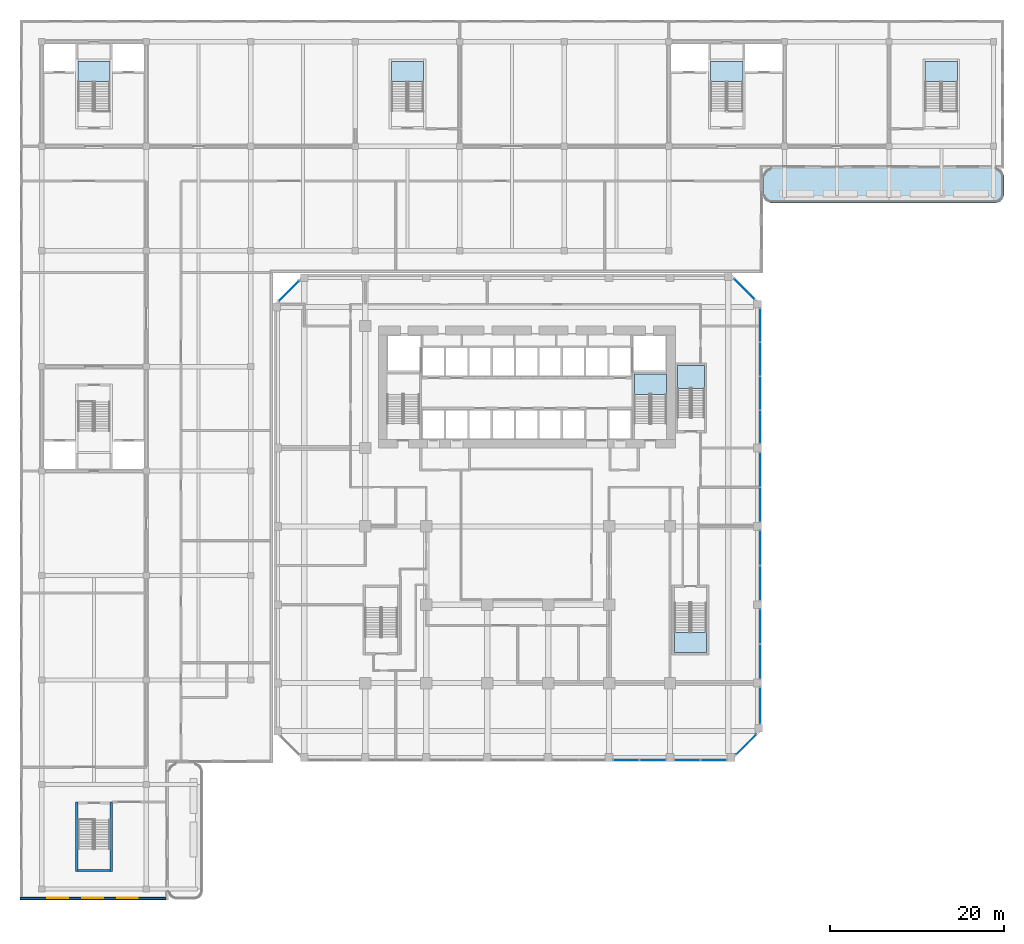
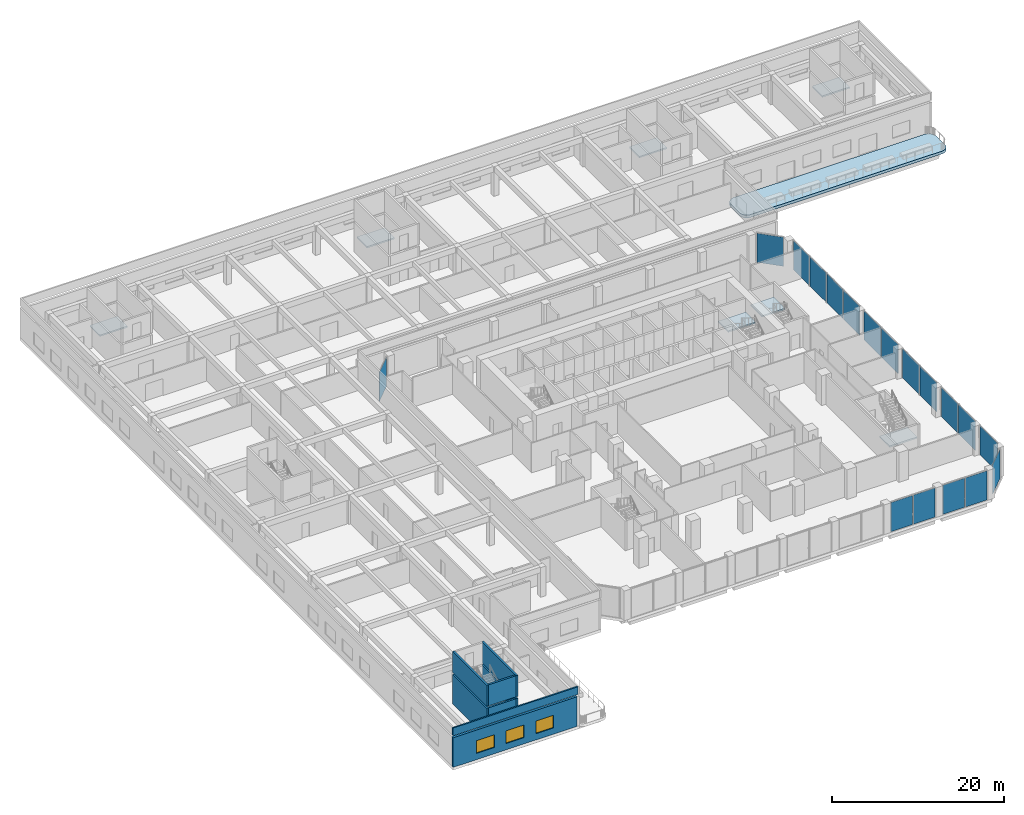
# One storey, part 12 of 35: 18 plates, 8 slabs, 8 walls, 3 windows, 3 openings, 25 elements without a shape of their own.
"""IFC4 building model written with IfcOpenShell, lengths in metres."""

from ifc_helpers import new_model, si_unit, direction, frame, frame_2d, origin, origin_2d, place, context, subcontext, project, spatial, polyline, rectangle, outline, extrude, source, transform, mapped, material, layer, layer_set, type_object, element, fill, aggregate, save


model = new_model("IFC4")

# Units and contexts
model_context = context("Model", 3, precision=1e-05, world=origin(), true_north=direction((0.0, 1.0)))
body_context = subcontext(model_context, "Body", "Model", "MODEL_VIEW")
ifc_project = project(units=[si_unit("LENGTHUNIT", "METRE"), si_unit("AREAUNIT", "SQUARE_METRE"), si_unit("VOLUMEUNIT", "CUBIC_METRE"), si_unit("PLANEANGLEUNIT", "RADIAN"), si_unit("MASSUNIT", "GRAM", prefix="KILO")], contexts=[model_context])

# Site, building, storey
site_placement = place(None, origin())
site = spatial("IfcSite", under=ifc_project, at=site_placement, CompositionType="ELEMENT")
building_placement = place(site_placement, origin())
building = spatial("IfcBuilding", under=site, at=building_placement, Name="Kilnfold Tower and Market Hall", CompositionType="ELEMENT")
storey_placement = place(building_placement, frame((0.0, 0.0, 22.5)))
storey = spatial("IfcBuildingStorey", under=building, at=storey_placement, Name="L04", CompositionType="ELEMENT", Elevation=22.5)

# Curtain wall, plate
ifc_material_1 = material(Name="Aluminium and double glazing", Category="aluminium")
curtain_wall_type = type_object("IfcCurtainWallType", Name="CW BASE PODIUM GLAZING", PredefinedType="NOTDEFINED", material=ifc_material_1)
curtain_wall_1_placement = place(storey_placement, origin())
curtain_wall_1 = element("IfcCurtainWall", 1, at=curtain_wall_1_placement, inside=storey, type_object=curtain_wall_type, Name="Curtain wall CW4 L04 S", PredefinedType="NOTDEFINED")
ifc_material_2 = material(Name="Double glazed unit")
ifc_layer_1 = layer(ifc_material_2, 0.035888671875)
ifc_layer_set_1 = layer_set([ifc_layer_1], Name="Double glazed unit")
plate_type = type_object("IfcPlateType", Name="GLAZING PANEL 36", PredefinedType="CURTAIN_PANEL", material=ifc_layer_set_1)
shared_shape_1 = source(origin(), body_context, "Body", "SweptSolid", [
    extrude(rectangle(XDim=2.909912109375, YDim=0.035888671875, at=origin_2d()), origin(), (0.0, 0.0, 1.0), 4.14990234375),
])
plate_1_placement = place(storey_placement, frame((12.47509765625, -27.85009765625, 0.0), z_axis=(0.0, 0.0, 1.0), x_axis=(1.0, 0.0, 0.0)))
plate_1 = element("IfcPlate", 2, at=plate_1_placement, type_object=plate_type, Name="CW4 panel 1.1", PredefinedType="CURTAIN_PANEL", context=body_context, shape_type="MappedRepresentation", body=[
    mapped(shared_shape_1, transform((0.0, 0.0, 0.0))),
])
aggregate(curtain_wall_1, [plate_1])

curtain_wall_2_placement = place(storey_placement, origin())
curtain_wall_2 = element("IfcCurtainWall", 3, at=curtain_wall_2_placement, inside=storey, type_object=curtain_wall_type, Name="Curtain wall CW4 L04 S", PredefinedType="NOTDEFINED")
plate_2_placement = place(storey_placement, frame((15.52490234375, -27.85009765625, 0.0), z_axis=(0.0, 0.0, 1.0), x_axis=(1.0, 0.0, 0.0)))
plate_2 = element("IfcPlate", 4, at=plate_2_placement, type_object=plate_type, Name="CW4 panel 1.1", PredefinedType="CURTAIN_PANEL", context=body_context, shape_type="MappedRepresentation", body=[
    mapped(shared_shape_1, transform((0.0, 0.0, 0.0))),
])
aggregate(curtain_wall_2, [plate_2])

curtain_wall_3_placement = place(storey_placement, origin())
curtain_wall_3 = element("IfcCurtainWall", 5, at=curtain_wall_3_placement, inside=storey, type_object=curtain_wall_type, Name="Curtain wall CW4 L04 S", PredefinedType="NOTDEFINED")
plate_3_placement = place(storey_placement, frame((19.47509765625, -27.85009765625, 0.0), z_axis=(0.0, 0.0, 1.0), x_axis=(1.0, 0.0, 0.0)))
plate_3 = element("IfcPlate", 6, at=plate_3_placement, type_object=plate_type, Name="CW4 panel 1.1", PredefinedType="CURTAIN_PANEL", context=body_context, shape_type="MappedRepresentation", body=[
    mapped(shared_shape_1, transform((0.0, 0.0, 0.0))),
])
aggregate(curtain_wall_3, [plate_3])

curtain_wall_4_placement = place(storey_placement, origin())
curtain_wall_4 = element("IfcCurtainWall", 7, at=curtain_wall_4_placement, inside=storey, type_object=curtain_wall_type, Name="Curtain wall CW4 L04 S", PredefinedType="NOTDEFINED")
plate_4_placement = place(storey_placement, frame((22.52490234375, -27.85009765625, 0.0), z_axis=(0.0, 0.0, 1.0), x_axis=(1.0, 0.0, 0.0)))
plate_4 = element("IfcPlate", 8, at=plate_4_placement, type_object=plate_type, Name="CW4 panel 1.1", PredefinedType="CURTAIN_PANEL", context=body_context, shape_type="MappedRepresentation", body=[
    mapped(shared_shape_1, transform((0.0, 0.0, 0.0))),
])
aggregate(curtain_wall_4, [plate_4])

curtain_wall_5_placement = place(storey_placement, origin())
curtain_wall_5 = element("IfcCurtainWall", 9, at=curtain_wall_5_placement, inside=storey, type_object=curtain_wall_type, Name="Curtain wall CW4 L04 SE", PredefinedType="NOTDEFINED")
shared_shape_2 = source(origin(), body_context, "Body", "SweptSolid", [
    extrude(rectangle(XDim=3.21875, YDim=0.035888671875, at=origin_2d()), origin(), (0.0, 0.0, 1.0), 4.14990234375),
])
plate_5_placement = place(storey_placement, frame((26.25634765625, -26.031494140625, 0.0), z_axis=(0.0, 0.0, 1.0), x_axis=(0.707121667181, 0.707091894879, 0.0)))
plate_5 = element("IfcPlate", 10, at=plate_5_placement, type_object=plate_type, Name="CW4 panel 1.1", PredefinedType="CURTAIN_PANEL", context=body_context, shape_type="MappedRepresentation", body=[
    mapped(shared_shape_2, transform((0.0, 0.0, 0.0))),
])
aggregate(curtain_wall_5, [plate_5])

curtain_wall_6_placement = place(storey_placement, origin())
curtain_wall_6 = element("IfcCurtainWall", 11, at=curtain_wall_6_placement, inside=storey, type_object=curtain_wall_type, Name="Curtain wall CW4 L04 NE", PredefinedType="NOTDEFINED")
plate_6_placement = place(storey_placement, frame((26.031494140625, 26.25634765625, 0.0), z_axis=(0.0, 0.0, 1.0), x_axis=(-0.707091894879, 0.707121667181, 0.0)))
plate_6 = element("IfcPlate", 12, at=plate_6_placement, type_object=plate_type, Name="CW4 panel 1.1", PredefinedType="CURTAIN_PANEL", context=body_context, shape_type="MappedRepresentation", body=[
    mapped(shared_shape_2, transform((0.0, 0.0, 0.0))),
])
aggregate(curtain_wall_6, [plate_6])

curtain_wall_7_placement = place(storey_placement, origin())
curtain_wall_7 = element("IfcCurtainWall", 13, at=curtain_wall_7_placement, inside=storey, type_object=curtain_wall_type, Name="Curtain wall CW4 L04 NW", PredefinedType="NOTDEFINED")
plate_7_placement = place(storey_placement, frame((-26.25634765625, 26.031494140625, 0.0), z_axis=(0.0, 0.0, 1.0), x_axis=(-0.707121667181, -0.707091894879, 0.0)))
plate_7 = element("IfcPlate", 14, at=plate_7_placement, type_object=plate_type, Name="CW4 panel 1.1", PredefinedType="CURTAIN_PANEL", context=body_context, shape_type="MappedRepresentation", body=[
    mapped(shared_shape_2, transform((0.0, 0.0, 0.0))),
])
aggregate(curtain_wall_7, [plate_7])

curtain_wall_8_placement = place(storey_placement, origin())
curtain_wall_8 = element("IfcCurtainWall", 15, at=curtain_wall_8_placement, inside=storey, type_object=curtain_wall_type, Name="Curtain wall CW4 L04 E", PredefinedType="NOTDEFINED")
shared_shape_3 = source(origin(), body_context, "Body", "SweptSolid", [
    extrude(rectangle(XDim=4.141845703125, YDim=0.035888671875, at=origin_2d()), origin(), (0.0, 0.0, 1.0), 4.14990234375),
])
plate_8_placement = place(storey_placement, frame((27.85009765625, -21.5908203125, 0.0), z_axis=(0.0, 0.0, 1.0), x_axis=(0.0, 1.0, 0.0)))
plate_8 = element("IfcPlate", 16, at=plate_8_placement, type_object=plate_type, Name="CW4 panel 1.1", PredefinedType="CURTAIN_PANEL", context=body_context, shape_type="MappedRepresentation", body=[
    mapped(shared_shape_3, transform((0.0, 0.0, 0.0))),
])
aggregate(curtain_wall_8, [plate_8])

curtain_wall_9_placement = place(storey_placement, origin())
curtain_wall_9 = element("IfcCurtainWall", 17, at=curtain_wall_9_placement, inside=storey, type_object=curtain_wall_type, Name="Curtain wall CW4 L04 E", PredefinedType="NOTDEFINED")
shared_shape_4 = source(origin(), body_context, "Body", "SweptSolid", [
    extrude(rectangle(XDim=3.909912109375, YDim=0.035888671875, at=origin_2d()), origin(), (0.0, 0.0, 1.0), 4.14990234375),
])
plate_9_placement = place(storey_placement, frame((27.85009765625, -16.52490234375, 0.0), z_axis=(0.0, 0.0, 1.0), x_axis=(0.0, 1.0, 0.0)))
plate_9 = element("IfcPlate", 18, at=plate_9_placement, type_object=plate_type, Name="CW4 panel 1.1", PredefinedType="CURTAIN_PANEL", context=body_context, shape_type="MappedRepresentation", body=[
    mapped(shared_shape_4, transform((0.0, 0.0, 0.0))),
])
aggregate(curtain_wall_9, [plate_9])

curtain_wall_10_placement = place(storey_placement, origin())
curtain_wall_10 = element("IfcCurtainWall", 19, at=curtain_wall_10_placement, inside=storey, type_object=curtain_wall_type, Name="Curtain wall CW4 L04 E", PredefinedType="NOTDEFINED")
plate_10_placement = place(storey_placement, frame((27.85009765625, -12.47509765625, 0.0), z_axis=(0.0, 0.0, 1.0), x_axis=(0.0, 1.0, 0.0)))
plate_10 = element("IfcPlate", 20, at=plate_10_placement, type_object=plate_type, Name="CW4 panel 1.1", PredefinedType="CURTAIN_PANEL", context=body_context, shape_type="MappedRepresentation", body=[
    mapped(shared_shape_4, transform((0.0, 0.0, 0.0))),
])
aggregate(curtain_wall_10, [plate_10])

curtain_wall_11_placement = place(storey_placement, origin())
curtain_wall_11 = element("IfcCurtainWall", 21, at=curtain_wall_11_placement, inside=storey, type_object=curtain_wall_type, Name="Curtain wall CW4 L04 E", PredefinedType="NOTDEFINED")
plate_11_placement = place(storey_placement, frame((27.85009765625, -7.52490234375, 0.0), z_axis=(0.0, 0.0, 1.0), x_axis=(0.0, 1.0, 0.0)))
plate_11 = element("IfcPlate", 22, at=plate_11_placement, type_object=plate_type, Name="CW4 panel 1.1", PredefinedType="CURTAIN_PANEL", context=body_context, shape_type="MappedRepresentation", body=[
    mapped(shared_shape_4, transform((0.0, 0.0, 0.0))),
])
aggregate(curtain_wall_11, [plate_11])

curtain_wall_12_placement = place(storey_placement, origin())
curtain_wall_12 = element("IfcCurtainWall", 23, at=curtain_wall_12_placement, inside=storey, type_object=curtain_wall_type, Name="Curtain wall CW4 L04 E", PredefinedType="NOTDEFINED")
plate_12_placement = place(storey_placement, frame((27.85009765625, -3.47509765625, 0.0), z_axis=(0.0, 0.0, 1.0), x_axis=(0.0, 1.0, 0.0)))
plate_12 = element("IfcPlate", 24, at=plate_12_placement, type_object=plate_type, Name="CW4 panel 1.1", PredefinedType="CURTAIN_PANEL", context=body_context, shape_type="MappedRepresentation", body=[
    mapped(shared_shape_4, transform((0.0, 0.0, 0.0))),
])
aggregate(curtain_wall_12, [plate_12])

curtain_wall_13_placement = place(storey_placement, origin())
curtain_wall_13 = element("IfcCurtainWall", 25, at=curtain_wall_13_placement, inside=storey, type_object=curtain_wall_type, Name="Curtain wall CW4 L04 E", PredefinedType="NOTDEFINED")
plate_13_placement = place(storey_placement, frame((27.85009765625, 1.47509765625, 0.0), z_axis=(0.0, 0.0, 1.0), x_axis=(0.0, 1.0, 0.0)))
plate_13 = element("IfcPlate", 26, at=plate_13_placement, type_object=plate_type, Name="CW4 panel 1.1", PredefinedType="CURTAIN_PANEL", context=body_context, shape_type="MappedRepresentation", body=[
    mapped(shared_shape_4, transform((0.0, 0.0, 0.0))),
])
aggregate(curtain_wall_13, [plate_13])

curtain_wall_14_placement = place(storey_placement, origin())
curtain_wall_14 = element("IfcCurtainWall", 27, at=curtain_wall_14_placement, inside=storey, type_object=curtain_wall_type, Name="Curtain wall CW4 L04 E", PredefinedType="NOTDEFINED")
plate_14_placement = place(storey_placement, frame((27.85009765625, 5.52490234375, 0.0), z_axis=(0.0, 0.0, 1.0), x_axis=(0.0, 1.0, 0.0)))
plate_14 = element("IfcPlate", 28, at=plate_14_placement, type_object=plate_type, Name="CW4 panel 1.1", PredefinedType="CURTAIN_PANEL", context=body_context, shape_type="MappedRepresentation", body=[
    mapped(shared_shape_4, transform((0.0, 0.0, 0.0))),
])
aggregate(curtain_wall_14, [plate_14])

curtain_wall_15_placement = place(storey_placement, origin())
curtain_wall_15 = element("IfcCurtainWall", 29, at=curtain_wall_15_placement, inside=storey, type_object=curtain_wall_type, Name="Curtain wall CW4 L04 E", PredefinedType="NOTDEFINED")
shared_shape_5 = source(origin(), body_context, "Body", "SweptSolid", [
    extrude(rectangle(XDim=3.760009765625, YDim=0.035888671875, at=origin_2d()), origin(), (0.0, 0.0, 1.0), 4.14990234375),
])
plate_15_placement = place(storey_placement, frame((27.85009765625, 10.39990234375, 0.0), z_axis=(0.0, 0.0, 1.0), x_axis=(0.0, 1.0, 0.0)))
plate_15 = element("IfcPlate", 30, at=plate_15_placement, type_object=plate_type, Name="CW4 panel 1.1", PredefinedType="CURTAIN_PANEL", context=body_context, shape_type="MappedRepresentation", body=[
    mapped(shared_shape_5, transform((0.0, 0.0, 0.0))),
])
aggregate(curtain_wall_15, [plate_15])

curtain_wall_16_placement = place(storey_placement, origin())
curtain_wall_16 = element("IfcCurtainWall", 31, at=curtain_wall_16_placement, inside=storey, type_object=curtain_wall_type, Name="Curtain wall CW4 L04 E", PredefinedType="NOTDEFINED")
plate_16_placement = place(storey_placement, frame((27.85009765625, 14.300048828125, 0.0), z_axis=(0.0, 0.0, 1.0), x_axis=(0.0, 1.0, 0.0)))
plate_16 = element("IfcPlate", 32, at=plate_16_placement, type_object=plate_type, Name="CW4 panel 1.1", PredefinedType="CURTAIN_PANEL", context=body_context, shape_type="MappedRepresentation", body=[
    mapped(shared_shape_5, transform((0.0, 0.0, 0.0))),
])
aggregate(curtain_wall_16, [plate_16])

curtain_wall_17_placement = place(storey_placement, origin())
curtain_wall_17 = element("IfcCurtainWall", 33, at=curtain_wall_17_placement, inside=storey, type_object=curtain_wall_type, Name="Curtain wall CW4 L04 E", PredefinedType="NOTDEFINED")
plate_17_placement = place(storey_placement, frame((27.85009765625, 18.199951171875, 0.0), z_axis=(0.0, 0.0, 1.0), x_axis=(0.0, 1.0, 0.0)))
plate_17 = element("IfcPlate", 34, at=plate_17_placement, type_object=plate_type, Name="CW4 panel 1.1", PredefinedType="CURTAIN_PANEL", context=body_context, shape_type="MappedRepresentation", body=[
    mapped(shared_shape_5, transform((0.0, 0.0, 0.0))),
])
aggregate(curtain_wall_17, [plate_17])

curtain_wall_18_placement = place(storey_placement, origin())
curtain_wall_18 = element("IfcCurtainWall", 35, at=curtain_wall_18_placement, inside=storey, type_object=curtain_wall_type, Name="Curtain wall CW4 L04 E", PredefinedType="NOTDEFINED")
plate_18_placement = place(storey_placement, frame((27.85009765625, 22.10009765625, 0.0), z_axis=(0.0, 0.0, 1.0), x_axis=(0.0, 1.0, 0.0)))
plate_18 = element("IfcPlate", 36, at=plate_18_placement, type_object=plate_type, Name="CW4 panel 1.1", PredefinedType="CURTAIN_PANEL", context=body_context, shape_type="MappedRepresentation", body=[
    mapped(shared_shape_5, transform((0.0, 0.0, 0.0))),
])
aggregate(curtain_wall_18, [plate_18])

# Slab
ifc_material_3 = material(Name="Concrete C40/50", Category="concrete")
ifc_layer_2 = layer(ifc_material_3, 0.39990234375)
ifc_layer_set_2 = layer_set([ifc_layer_2], Name="Concrete C40/50")
slab_type_1 = type_object("IfcSlabType", Name="TERRACE SLAB 400", PredefinedType="ROOF", material=ifc_layer_set_2)
shared_shape_6 = source(origin(), body_context, "Body", "SweptSolid", [
    extrude(outline(polyline([(55.85009765625, 37.14990234375), (55.84521484375, 37.052001953125), (55.830810546875, 36.954833984375), (55.806884765625, 36.859619140625), (55.77392578125, 36.767333984375), (55.73193359375, 36.6787109375), (55.681396484375, 36.594482421875), (55.623046875, 36.515625), (55.55712890625, 36.44287109375), (55.484375, 36.376953125), (55.405517578125, 36.318603515625), (55.3212890625, 36.26806640625), (55.232666015625, 36.22607421875), (55.140380859375, 36.193115234375), (55.045166015625, 36.169189453125), (54.947998046875, 36.15478515625), (54.85009765625, 36.14990234375), (29.159912109375, 36.14990234375), (29.06201171875, 36.15478515625), (28.96484375, 36.169189453125), (28.86962890625, 36.193115234375), (28.77734375, 36.22607421875), (28.688720703125, 36.26806640625), (28.6044921875, 36.318603515625), (28.525634765625, 36.376953125), (28.452880859375, 36.44287109375), (28.386962890625, 36.515625), (28.32861328125, 36.594482421875), (28.278076171875, 36.6787109375), (28.236083984375, 36.767333984375), (28.203125, 36.859619140625), (28.17919921875, 36.954833984375), (28.164794921875, 37.052001953125), (28.159912109375, 37.14990234375), (28.159912109375, 39.139892578125), (28.164794921875, 39.238037109375), (28.17919921875, 39.335205078125), (28.203125, 39.430419921875), (28.236083984375, 39.522705078125), (28.278076171875, 39.611328125), (28.32861328125, 39.695556640625), (28.386962890625, 39.7744140625), (28.452880859375, 39.84716796875), (28.525634765625, 39.9130859375), (28.6044921875, 39.971435546875), (28.688720703125, 40.02197265625), (28.77734375, 40.06396484375), (28.86962890625, 40.096923828125), (28.96484375, 40.120849609375), (29.06201171875, 40.13525390625), (29.159912109375, 40.139892578125), (54.85009765625, 40.139892578125), (54.947998046875, 40.13525390625), (55.045166015625, 40.120849609375), (55.140380859375, 40.096923828125), (55.232666015625, 40.06396484375), (55.3212890625, 40.02197265625), (55.405517578125, 39.971435546875), (55.484375, 39.9130859375), (55.55712890625, 39.84716796875), (55.623046875, 39.7744140625), (55.681396484375, 39.695556640625), (55.73193359375, 39.611328125), (55.77392578125, 39.522705078125), (55.806884765625, 39.430419921875), (55.830810546875, 39.335205078125), (55.84521484375, 39.238037109375), (55.85009765625, 39.139892578125), (55.85009765625, 37.14990234375)])), origin(), (0.0, 0.0, 1.0), 0.39990234375),
])
slab_1_placement = place(storey_placement, frame((0.0, 0.0, -0.39990234375)))
element("IfcSlab", 37, at=slab_1_placement, inside=storey, type_object=slab_type_1, Name="Terrace slab L04 part 2", PredefinedType="ROOF", context=body_context, shape_type="MappedRepresentation", body=[
    mapped(shared_shape_6, transform((0.0, 0.0, 0.0))),
])

# Stair, slab
ifc_material_4 = material(Name="Concrete C40/50", Category="concrete")
stair_type_1 = type_object("IfcStairType", Name="CORE STAIR 1800", PredefinedType="HALF_TURN_STAIR", material=ifc_material_4)
stair_1_placement = place(storey_placement, origin())
stair_1 = element("IfcStair", 38, at=stair_1_placement, inside=storey, type_object=stair_type_1, Name="L04 ST2", PredefinedType="HALF_TURN_STAIR")
ifc_material_5 = material(Name="Concrete C40/50", Category="concrete")
ifc_layer_3 = layer(ifc_material_5, 0.199951171875)
ifc_layer_set_3 = layer_set([ifc_layer_3], Name="Concrete C40/50")
slab_type_2 = type_object("IfcSlabType", Name="CORE STAIR LANDING 200", PredefinedType="LANDING", material=ifc_layer_set_3)
shared_shape_7 = source(origin(), body_context, "Body", "SweptSolid", [
    extrude(outline(polyline([(17.10009765625, 14.159912109375), (17.10009765625, 16.5), (13.39990234375, 16.5), (13.39990234375, 14.159912109375), (17.10009765625, 14.159912109375)])), origin(), (0.0, 0.0, 1.0), 0.199951171875),
])
slab_2_placement = place(storey_placement, frame((0.0, 0.0, 2.050048828125)))
slab_2 = element("IfcSlab", 39, at=slab_2_placement, type_object=slab_type_2, Name="ST2 landing 1", PredefinedType="LANDING", context=body_context, shape_type="MappedRepresentation", body=[
    mapped(shared_shape_7, transform((0.0, 0.0, 0.0))),
])
aggregate(stair_1, [slab_2])

stair_2_placement = place(storey_placement, origin())
stair_2 = element("IfcStair", 40, at=stair_2_placement, inside=storey, type_object=stair_type_1, Name="L04 ST4", PredefinedType="HALF_TURN_STAIR")
shared_shape_8 = source(origin(), body_context, "Body", "SweptSolid", [
    extrude(outline(polyline([(18.0, -13.159912109375), (18.0, -15.5), (21.699951171875, -15.5), (21.699951171875, -13.159912109375), (18.0, -13.159912109375)])), origin(), (0.0, 0.0, 1.0), 0.199951171875),
])
slab_3_placement = place(storey_placement, frame((0.0, 0.0, 2.050048828125)))
slab_3 = element("IfcSlab", 41, at=slab_3_placement, type_object=slab_type_2, Name="ST4 landing 1", PredefinedType="LANDING", context=body_context, shape_type="MappedRepresentation", body=[
    mapped(shared_shape_8, transform((0.0, 0.0, 0.0))),
])
aggregate(stair_2, [slab_3])

ifc_material_6 = material(Name="Concrete C40/50", Category="concrete")
stair_type_2 = type_object("IfcStairType", Name="CORE STAIR 1500", PredefinedType="HALF_TURN_STAIR", material=ifc_material_6)
stair_3_placement = place(storey_placement, origin())
stair_3 = element("IfcStair", 42, at=stair_3_placement, inside=storey, type_object=stair_type_2, Name="L04 ST5", PredefinedType="HALF_TURN_STAIR")
shared_shape_9 = source(origin(), body_context, "Body", "SweptSolid", [
    extrude(outline(polyline([(21.449951171875, 14.860107421875), (21.449951171875, 17.5), (18.35009765625, 17.5), (18.35009765625, 14.860107421875), (21.449951171875, 14.860107421875)])), origin(), (0.0, 0.0, 1.0), 0.199951171875),
])
slab_4_placement = place(storey_placement, frame((0.0, 0.0, 2.050048828125)))
slab_4 = element("IfcSlab", 43, at=slab_4_placement, type_object=slab_type_2, Name="ST5 landing 1", PredefinedType="LANDING", context=body_context, shape_type="MappedRepresentation", body=[
    mapped(shared_shape_9, transform((0.0, 0.0, 0.0))),
])
aggregate(stair_3, [slab_4])

ifc_material_7 = material(Name="Concrete C40/50", Category="concrete")
stair_type_3 = type_object("IfcStairType", Name="HALL STAIR", PredefinedType="HALF_TURN_STAIR", material=ifc_material_7)
stair_4_placement = place(storey_placement, origin())
stair_4 = element("IfcStair", 44, at=stair_4_placement, inside=storey, type_object=stair_type_3, Name="L04 MS3", PredefinedType="HALF_TURN_STAIR")
ifc_material_8 = material(Name="Concrete C40/50", Category="concrete")
ifc_layer_4 = layer(ifc_material_8, 0.199951171875)
ifc_layer_set_4 = layer_set([ifc_layer_4], Name="Concrete C40/50")
slab_type_3 = type_object("IfcSlabType", Name="HALL STAIR LANDING", PredefinedType="LANDING", material=ifc_layer_set_4)
shared_shape_10 = source(origin(), body_context, "Body", "SweptSolid", [
    extrude(outline(polyline([(-46.800048828125, 50.06005859375), (-46.800048828125, 52.39990234375), (-50.5, 52.39990234375), (-50.5, 50.06005859375), (-46.800048828125, 50.06005859375)])), origin(), (0.0, 0.0, 1.0), 0.199951171875),
])
slab_5_placement = place(storey_placement, frame((0.0, 0.0, 2.050048828125)))
slab_5 = element("IfcSlab", 45, at=slab_5_placement, type_object=slab_type_3, Name="MS3 landing 1", PredefinedType="LANDING", context=body_context, shape_type="MappedRepresentation", body=[
    mapped(shared_shape_10, transform((0.0, 0.0, 0.0))),
])
aggregate(stair_4, [slab_5])

stair_5_placement = place(storey_placement, origin())
stair_5 = element("IfcStair", 46, at=stair_5_placement, inside=storey, type_object=stair_type_3, Name="L04 MS4", PredefinedType="HALF_TURN_STAIR")
shared_shape_11 = source(origin(), body_context, "Body", "SweptSolid", [
    extrude(outline(polyline([(-10.800048828125, 50.06005859375), (-10.800048828125, 52.39990234375), (-14.5, 52.39990234375), (-14.5, 50.06005859375), (-10.800048828125, 50.06005859375)])), origin(), (0.0, 0.0, 1.0), 0.199951171875),
])
slab_6_placement = place(storey_placement, frame((0.0, 0.0, 2.050048828125)))
slab_6 = element("IfcSlab", 47, at=slab_6_placement, type_object=slab_type_3, Name="MS4 landing 1", PredefinedType="LANDING", context=body_context, shape_type="MappedRepresentation", body=[
    mapped(shared_shape_11, transform((0.0, 0.0, 0.0))),
])
aggregate(stair_5, [slab_6])

stair_6_placement = place(storey_placement, origin())
stair_6 = element("IfcStair", 48, at=stair_6_placement, inside=storey, type_object=stair_type_3, Name="L04 MS5", PredefinedType="HALF_TURN_STAIR")
shared_shape_12 = source(origin(), body_context, "Body", "SweptSolid", [
    extrude(outline(polyline([(25.85009765625, 50.06005859375), (25.85009765625, 52.39990234375), (22.14990234375, 52.39990234375), (22.14990234375, 50.06005859375), (25.85009765625, 50.06005859375)])), origin(), (0.0, 0.0, 1.0), 0.199951171875),
])
slab_7_placement = place(storey_placement, frame((0.0, 0.0, 2.050048828125)))
slab_7 = element("IfcSlab", 49, at=slab_7_placement, type_object=slab_type_3, Name="MS5 landing 1", PredefinedType="LANDING", context=body_context, shape_type="MappedRepresentation", body=[
    mapped(shared_shape_12, transform((0.0, 0.0, 0.0))),
])
aggregate(stair_6, [slab_7])

stair_7_placement = place(storey_placement, origin())
stair_7 = element("IfcStair", 50, at=stair_7_placement, inside=storey, type_object=stair_type_3, Name="L04 MS6", PredefinedType="HALF_TURN_STAIR")
shared_shape_13 = source(origin(), body_context, "Body", "SweptSolid", [
    extrude(outline(polyline([(50.5, 50.06005859375), (50.5, 52.39990234375), (46.800048828125, 52.39990234375), (46.800048828125, 50.06005859375), (50.5, 50.06005859375)])), origin(), (0.0, 0.0, 1.0), 0.199951171875),
])
slab_8_placement = place(storey_placement, frame((0.0, 0.0, 2.050048828125)))
slab_8 = element("IfcSlab", 51, at=slab_8_placement, type_object=slab_type_3, Name="MS6 landing 1", PredefinedType="LANDING", context=body_context, shape_type="MappedRepresentation", body=[
    mapped(shared_shape_13, transform((0.0, 0.0, 0.0))),
])
aggregate(stair_7, [slab_8])

# Walls
ifc_material_9 = material(Name="Concrete C50/60", Category="concrete")
ifc_layer_5 = layer(ifc_material_9, 0.25)
ifc_layer_set_5 = layer_set([ifc_layer_5], Name="Concrete C50/60")
wall_type_1 = type_object("IfcWallType", Name="HALL CORE WALL 250", PredefinedType="SHEAR", material=ifc_layer_set_5)
shared_shape_14 = source(origin(), body_context, "Body", "SweptSolid", [
    extrude(rectangle(XDim=3.699951171875, YDim=0.25, at=frame_2d((1.85009765625, 0.0))), origin(), (0.0, 0.0, 1.0), 4.219970703125),
])
wall_1_placement = place(storey_placement, frame((-50.5, -40.52490234375, 0.0), z_axis=(0.0, 0.0, 1.0), x_axis=(1.0, 0.0, 0.0)))
element("IfcWall", 52, at=wall_1_placement, inside=storey, type_object=wall_type_1, Name="Core wall MS1", PredefinedType="SHEAR", context=body_context, shape_type="MappedRepresentation", body=[
    mapped(shared_shape_14, transform((0.0, 0.0, 0.0))),
])
shared_shape_15 = source(origin(), body_context, "Body", "SweptSolid", [
    extrude(rectangle(XDim=8.0, YDim=0.25, at=frame_2d((4.0, 0.0))), origin(), (0.0, 0.0, 1.0), 4.219970703125),
])
for number, where, z_axis, x_axis, name in (
    (53, (-50.625, -40.64990234375, 0.0), (0.0, 0.0, 1.0), (0.0, 1.0, 0.0), "Core wall MS1"),
    (54, (-46.675048828125, -40.64990234375, 0.0), (0.0, 0.0, 1.0), (0.0, 1.0, 0.0), "Core wall MS1"),
):
    element("IfcWall", number, at=place(storey_placement, frame(where, z_axis=z_axis, x_axis=x_axis)), inside=storey, type_object=wall_type_1, Name=name, PredefinedType="SHEAR", context=body_context, shape_type="MappedRepresentation", body=[
        mapped(shared_shape_15, transform((0.0, 0.0, 0.0))),
    ])

# Wall, openings, windows
ifc_material_10 = material(Name="Concrete blockwork", Category="masonry")
ifc_layer_6 = layer(ifc_material_10, 0.300048828125)
ifc_layer_set_6 = layer_set([ifc_layer_6], Name="Concrete blockwork")
wall_type_2 = type_object("IfcWallType", Name="HALL EXTERNAL WALL 300 EI 60", PredefinedType="SOLIDWALL", material=ifc_layer_set_6)
shared_shape_16 = source(origin(), body_context, "Body", "SweptSolid", [
    extrude(rectangle(XDim=16.699951171875, YDim=0.300048828125, at=frame_2d((8.35009765625, 0.0))), origin(), (0.0, 0.0, 1.0), 4.219970703125),
])
wall_2_placement = place(storey_placement, frame((-40.449951171875, -43.699951171875, 0.0), z_axis=(0.0, 0.0, 1.0), x_axis=(-1.0, 0.0, 0.0)))
wall_2 = element("IfcWall", 55, at=wall_2_placement, inside=storey, type_object=wall_type_2, Name="External wall MEW-L04.10", PredefinedType="SOLIDWALL", context=body_context, shape_type="MappedRepresentation", body=[
    mapped(shared_shape_16, transform((0.0, 0.0, 0.0))),
])
opening_1_placement = place(wall_2_placement, frame((3.14990234375, 0.0, 0.89990234375)))
opening_1 = element("IfcOpeningElement", 56, at=opening_1_placement, cuts=wall_2, Name="Opening MEN3", PredefinedType="OPENING", context=body_context, shape_type="SweptSolid", body=[
    extrude(rectangle(XDim=2.39990234375, YDim=1.800048828125, at=frame_2d((1.199951171875, 0.89990234375))), frame((0.0, 0.16015625, 0.0), z_axis=(0.0, -1.0, 0.0), x_axis=(1.0, 0.0, 0.0)), (0.0, 0.0, 1.0), 0.320068359375),
])
opening_2_placement = place(wall_2_placement, frame((7.14990234375, 0.0, 0.89990234375)))
opening_2 = element("IfcOpeningElement", 57, at=opening_2_placement, cuts=wall_2, Name="Opening MEN3", PredefinedType="OPENING", context=body_context, shape_type="SweptSolid", body=[
    extrude(rectangle(XDim=2.39990234375, YDim=1.800048828125, at=frame_2d((1.199951171875, 0.89990234375))), frame((0.0, 0.16015625, 0.0), z_axis=(0.0, -1.0, 0.0), x_axis=(1.0, 0.0, 0.0)), (0.0, 0.0, 1.0), 0.320068359375),
])
opening_3_placement = place(wall_2_placement, frame((11.14990234375, 0.0, 0.89990234375)))
opening_3 = element("IfcOpeningElement", 58, at=opening_3_placement, cuts=wall_2, Name="Opening MEN3", PredefinedType="OPENING", context=body_context, shape_type="SweptSolid", body=[
    extrude(rectangle(XDim=2.39990234375, YDim=1.800048828125, at=frame_2d((1.199951171875, 0.89990234375))), frame((0.0, 0.16015625, 0.0), z_axis=(0.0, -1.0, 0.0), x_axis=(1.0, 0.0, 0.0)), (0.0, 0.0, 1.0), 0.320068359375),
])
ifc_material_11 = material(Name="Aluminium glazing", Category="aluminium")
window_type = type_object("IfcWindowType", Name="HALL WINDOW 2400X1800", PartitioningType="SINGLE_PANEL", PredefinedType="WINDOW", material=ifc_material_11)
window_1_placement = place(opening_1_placement, origin())
window_1 = element("IfcWindow", 59, at=window_1_placement, inside=storey, type_object=window_type, Name="Window upper", OverallHeight=1.800048828125, OverallWidth=2.39990234375, PartitioningType="SINGLE_PANEL", PredefinedType="WINDOW", context=body_context, shape_type="SweptSolid", body=[
    extrude(rectangle(XDim=2.39990234375, YDim=1.800048828125, at=frame_2d((1.199951171875, 0.89990234375))), frame((0.0, 0.030029296875, 0.0), z_axis=(0.0, -1.0, 0.0), x_axis=(1.0, 0.0, 0.0)), (0.0, 0.0, 1.0), 0.06005859375),
])
fill(opening_1, window_1)
window_2_placement = place(opening_2_placement, origin())
window_2 = element("IfcWindow", 60, at=window_2_placement, inside=storey, type_object=window_type, Name="Window upper", OverallHeight=1.800048828125, OverallWidth=2.39990234375, PartitioningType="SINGLE_PANEL", PredefinedType="WINDOW", context=body_context, shape_type="SweptSolid", body=[
    extrude(rectangle(XDim=2.39990234375, YDim=1.800048828125, at=frame_2d((1.199951171875, 0.89990234375))), frame((0.0, 0.030029296875, 0.0), z_axis=(0.0, -1.0, 0.0), x_axis=(1.0, 0.0, 0.0)), (0.0, 0.0, 1.0), 0.06005859375),
])
fill(opening_2, window_2)
window_3_placement = place(opening_3_placement, origin())
window_3 = element("IfcWindow", 61, at=window_3_placement, inside=storey, type_object=window_type, Name="Window upper", OverallHeight=1.800048828125, OverallWidth=2.39990234375, PartitioningType="SINGLE_PANEL", PredefinedType="WINDOW", context=body_context, shape_type="SweptSolid", body=[
    extrude(rectangle(XDim=2.39990234375, YDim=1.800048828125, at=frame_2d((1.199951171875, 0.89990234375))), frame((0.0, 0.030029296875, 0.0), z_axis=(0.0, -1.0, 0.0), x_axis=(1.0, 0.0, 0.0)), (0.0, 0.0, 1.0), 0.06005859375),
])
fill(opening_3, window_3)

# Walls
ifc_material_12 = material(Name="Concrete C40/50", Category="concrete")
ifc_layer_7 = layer(ifc_material_12, 0.199951171875)
ifc_layer_set_7 = layer_set([ifc_layer_7], Name="Concrete C40/50")
wall_type_3 = type_object("IfcWallType", Name="HALL PARAPET 200", PredefinedType="PARAPET", material=ifc_layer_set_7)
shared_shape_17 = source(origin(), body_context, "Body", "SweptSolid", [
    extrude(rectangle(XDim=16.7998046875, YDim=0.199951171875, at=frame_2d((8.39990234375, 0.0))), origin(), (0.0, 0.0, 1.0), 1.10009765625),
])
wall_3_placement = place(storey_placement, frame((-40.35009765625, -43.75, 4.5), z_axis=(0.0, 0.0, 1.0), x_axis=(-1.0, 0.0, 0.0)))
element("IfcWall", 62, at=wall_3_placement, inside=storey, type_object=wall_type_3, Name="Roof parapet", PredefinedType="PARAPET", context=body_context, shape_type="MappedRepresentation", body=[
    mapped(shared_shape_17, transform((0.0, 0.0, 0.0))),
])
ifc_material_13 = material(Name="Concrete C50/60", Category="concrete")
ifc_layer_8 = layer(ifc_material_13, 0.25)
ifc_layer_set_8 = layer_set([ifc_layer_8], Name="Concrete C50/60")
wall_type_4 = type_object("IfcWallType", Name="HEADHOUSE WALL 250", PredefinedType="SOLIDWALL", material=ifc_layer_set_8)
shared_shape_18 = source(origin(), body_context, "Body", "SweptSolid", [
    extrude(rectangle(XDim=8.0, YDim=0.25, at=frame_2d((4.0, 0.0))), origin(), (0.0, 0.0, 1.0), 3.0),
])
for number, where, z_axis, x_axis, name in (
    (63, (-50.625, -40.64990234375, 4.5), (0.0, 0.0, 1.0), (0.0, 1.0, 0.0), "Stair head-house wall MS1"),
    (64, (-46.675048828125, -40.64990234375, 4.5), (0.0, 0.0, 1.0), (0.0, 1.0, 0.0), "Stair head-house wall MS1"),
):
    element("IfcWall", number, at=place(storey_placement, frame(where, z_axis=z_axis, x_axis=x_axis)), inside=storey, type_object=wall_type_4, Name=name, PredefinedType="SOLIDWALL", context=body_context, shape_type="MappedRepresentation", body=[
        mapped(shared_shape_18, transform((0.0, 0.0, 0.0))),
    ])
shared_shape_19 = source(origin(), body_context, "Body", "SweptSolid", [
    extrude(rectangle(XDim=3.699951171875, YDim=0.25, at=frame_2d((1.85009765625, 0.0))), origin(), (0.0, 0.0, 1.0), 3.0),
])
wall_4_placement = place(storey_placement, frame((-50.5, -40.52490234375, 4.5), z_axis=(0.0, 0.0, 1.0), x_axis=(1.0, 0.0, 0.0)))
element("IfcWall", 65, at=wall_4_placement, inside=storey, type_object=wall_type_4, Name="Stair head-house wall MS1", PredefinedType="SOLIDWALL", context=body_context, shape_type="MappedRepresentation", body=[
    mapped(shared_shape_19, transform((0.0, 0.0, 0.0))),
])

save(model, "model.ifc")
